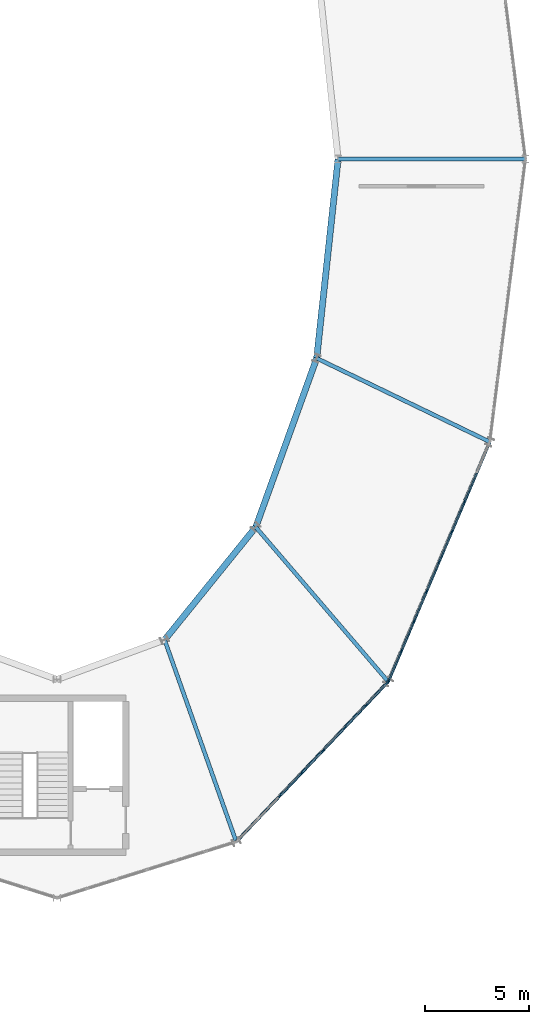
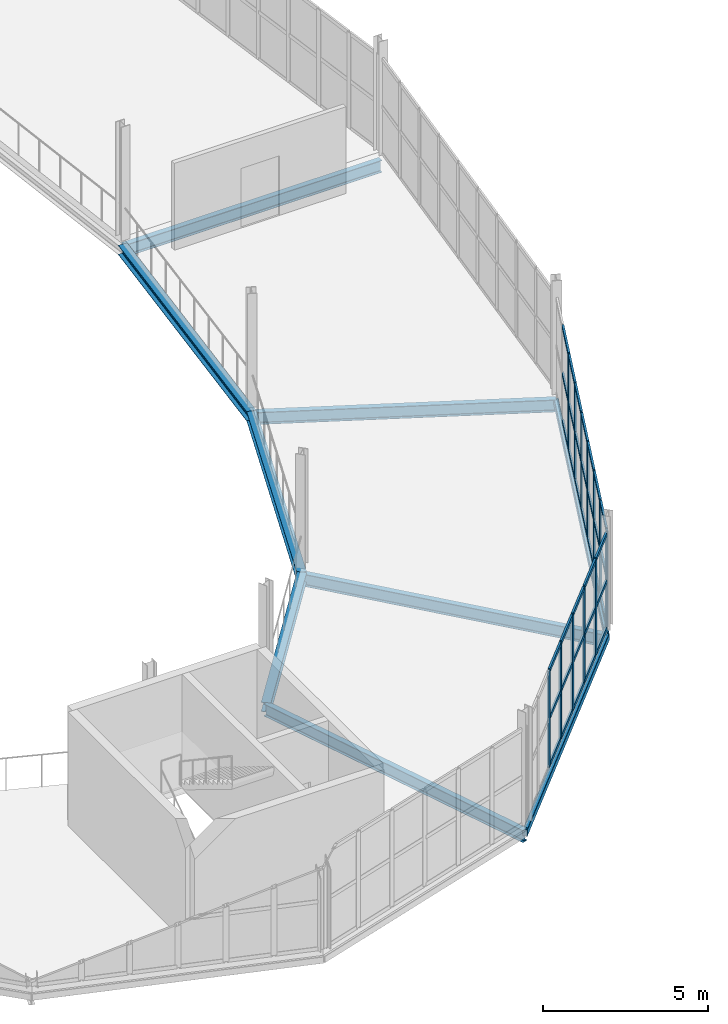
# One storey, part 90 of 161: 49 members, 9 beams, 2 elements without a shape of their own.
"""IFC4 building model written with IfcOpenShell, lengths in metres."""

from ifc_helpers import new_model, si_unit, direction, frame, origin, origin_2d, place, context, subcontext, project, spatial, rectangle, hollow_rectangle, i_section, extrude, material, material_profile, profile_set, type_object, element, aggregate, save


model = new_model("IFC4")

# Units and contexts
model_context = context("Model", 3, precision=1e-05, world=origin(), true_north=direction((0.0, 1.0)))
body_context = subcontext(model_context, "Body", "Model", "MODEL_VIEW")
ifc_project = project(units=[si_unit("LENGTHUNIT", "METRE"), si_unit("AREAUNIT", "SQUARE_METRE"), si_unit("VOLUMEUNIT", "CUBIC_METRE"), si_unit("PLANEANGLEUNIT", "RADIAN"), si_unit("MASSUNIT", "GRAM", prefix="KILO")], contexts=[model_context])

# Site, building, storey
site_placement = place(None, origin())
site = spatial("IfcSite", under=ifc_project, at=site_placement, CompositionType="ELEMENT")
building_placement = place(site_placement, origin())
building = spatial("IfcBuilding", under=site, at=building_placement, Name="Kildeholm Park Wholesale Market", CompositionType="ELEMENT")
storey_placement = place(building_placement, frame((0.0, 0.0, 5.39990234375)))
storey = spatial("IfcBuildingStorey", under=building, at=storey_placement, Name="L01", CompositionType="ELEMENT", Elevation=5.39990234375)

# Beams
ifc_material_1 = material(Name="Steel S355", Category="steel")
ifc_material_profile_1 = material_profile(ifc_material_1, i_section(OverallWidth=0.18994140625, OverallDepth=0.449951171875, WebThickness=0.009521484375, FlangeThickness=0.0146484375, FilletRadius=0.02099609375, at=origin_2d()), Name="IPE 450")
ifc_profile_set_1 = profile_set([ifc_material_profile_1], Name="Steel S355")
beam_type_1 = type_object("IfcBeamType", Name="Beam B-P02 IPE 450", PredefinedType="BEAM", material=ifc_profile_set_1)
beam_1_placement = place(storey_placement, frame((201.5, 94.5, -0.48486328125), z_axis=(1.0, 0.0, 0.0), x_axis=(0.0, 1.0, 0.0)))
element("IfcBeam", 1, at=beam_1_placement, inside=storey, type_object=beam_type_1, Name="Beam BM-V2-L01-R-00 BM-0363", PredefinedType="BEAM", context=body_context, shape_type="SweptSolid", body=[
    extrude(i_section(OverallWidth=0.18994140625, OverallDepth=0.449951171875, WebThickness=0.009521484375, FlangeThickness=0.0146484375, FilletRadius=0.02099609375, at=origin_2d()), origin(), (0.0, 0.0, 1.0), 9.0),
])
beam_2_placement = place(storey_placement, frame((193.166015625, 71.403076171875, -0.48486328125), z_axis=(0.334560005007, -0.942374449489, 0.0), x_axis=(0.942374449489, 0.334560005007, 0.0)))
element("IfcBeam", 2, at=beam_2_placement, inside=storey, type_object=beam_type_1, Name="Beam BM-V2-L01-R-13 BM-0450", PredefinedType="BEAM", context=body_context, shape_type="SweptSolid", body=[
    extrude(i_section(OverallWidth=0.18994140625, OverallDepth=0.449951171875, WebThickness=0.009521484375, FlangeThickness=0.0146484375, FilletRadius=0.02099609375, at=origin_2d()), origin(), (0.0, 0.0, 1.0), 10.29443359375),
])
beam_3_placement = place(storey_placement, frame((197.5458984375, 76.822021484375, -0.48486328125), z_axis=(0.650822214859, -0.75923016579, 0.0), x_axis=(0.75923016579, 0.650822214859, 0.0)))
element("IfcBeam", 3, at=beam_3_placement, inside=storey, type_object=beam_type_1, Name="Beam BM-V2-L01-R-14 BM-0457", PredefinedType="BEAM", context=body_context, shape_type="SweptSolid", body=[
    extrude(i_section(OverallWidth=0.18994140625, OverallDepth=0.449951171875, WebThickness=0.009521484375, FlangeThickness=0.0146484375, FilletRadius=0.02099609375, at=origin_2d()), origin(), (0.0, 0.0, 1.0), 9.7783203125),
])
beam_4_placement = place(storey_placement, frame((200.471923828125, 84.93310546875, -0.48486328125), z_axis=(0.900388826514, -0.435086153639, 0.0), x_axis=(0.435086153639, 0.900388826514, 0.0)))
element("IfcBeam", 4, at=beam_4_placement, inside=storey, type_object=beam_type_1, Name="Beam BM-V2-L01-R-15 BM-0464", PredefinedType="BEAM", context=body_context, shape_type="SweptSolid", body=[
    extrude(i_section(OverallWidth=0.18994140625, OverallDepth=0.449951171875, WebThickness=0.009521484375, FlangeThickness=0.0146484375, FilletRadius=0.02099609375, at=origin_2d()), origin(), (0.0, 0.0, 1.0), 9.235107421875),
])
ifc_material_profile_2 = material_profile(ifc_material_1, i_section(OverallWidth=0.300048828125, OverallDepth=0.35009765625, WebThickness=0.010009765625, FlangeThickness=0.017578125, FilletRadius=0.027099609375, at=origin_2d()), Name="HEA 360")
ifc_profile_set_2 = profile_set([ifc_material_profile_2], Name="Steel S355")
beam_type_2 = type_object("IfcBeamType", Name="Beam B-R01 HEA 360", PredefinedType="BEAM", material=ifc_profile_set_2)
beam_5_placement = place(storey_placement, frame((193.166015625, 71.403076171875, -0.434814453125), z_axis=(0.628601322688, 0.777727701136, 0.0), x_axis=(-0.777727701136, 0.628601322688, 0.0)))
element("IfcBeam", 5, at=beam_5_placement, inside=storey, type_object=beam_type_2, Name="Beam BM-V2-L01-CI-13 BM-0452", PredefinedType="BEAM", context=body_context, shape_type="SweptSolid", body=[
    extrude(i_section(OverallWidth=0.300048828125, OverallDepth=0.35009765625, WebThickness=0.010009765625, FlangeThickness=0.017578125, FilletRadius=0.027099609375, at=origin_2d()), origin(), (0.0, 0.0, 1.0), 6.9677734375),
])
beam_6_placement = place(storey_placement, frame((197.5458984375, 76.822021484375, -0.434814453125), z_axis=(0.339339006409, 0.940664147679, 0.0), x_axis=(-0.940664147679, 0.339339006409, 0.0)))
element("IfcBeam", 6, at=beam_6_placement, inside=storey, type_object=beam_type_2, Name="Beam BM-V2-L01-CI-14 BM-0459", PredefinedType="BEAM", context=body_context, shape_type="SweptSolid", body=[
    extrude(i_section(OverallWidth=0.300048828125, OverallDepth=0.35009765625, WebThickness=0.010009765625, FlangeThickness=0.017578125, FilletRadius=0.027099609375, at=origin_2d()), origin(), (0.0, 0.0, 1.0), 8.622802734375),
])
beam_7_placement = place(storey_placement, frame((200.471923828125, 84.93310546875, -0.434814453125), z_axis=(0.106846684142, 0.99427550814, 0.0), x_axis=(-0.99427550814, 0.106846684142, 0.0)))
element("IfcBeam", 7, at=beam_7_placement, inside=storey, type_object=beam_type_2, Name="Beam BM-V2-L01-CI-15 BM-0466", PredefinedType="BEAM", context=body_context, shape_type="SweptSolid", body=[
    extrude(i_section(OverallWidth=0.300048828125, OverallDepth=0.35009765625, WebThickness=0.010009765625, FlangeThickness=0.017578125, FilletRadius=0.027099609375, at=origin_2d()), origin(), (0.0, 0.0, 1.0), 9.6220703125),
])
ifc_material_profile_3 = material_profile(ifc_material_1, hollow_rectangle(XDim=0.14990234375, YDim=0.25, WallThickness=0.010009765625, InnerFilletRadius=0.010009765625, OuterFilletRadius=0.02001953125, at=origin_2d()), Name="RHS 250x150x10")
ifc_profile_set_3 = profile_set([ifc_material_profile_3], Name="Steel S355")
beam_type_3 = type_object("IfcBeamType", Name="Beam SP-02 RHS 250x150x10", PredefinedType="SPANDREL", material=ifc_profile_set_3)
beam_8_placement = place(storey_placement, frame((196.610107421875, 61.701904296875, -0.385009765625), z_axis=(0.688182467753, 0.725537656554, 0.0), x_axis=(-0.725537656554, 0.688182467753, 0.0)))
element("IfcBeam", 8, at=beam_8_placement, inside=storey, type_object=beam_type_3, Name="Beam BM-V2-L01-CO-13 BM-0453", PredefinedType="SPANDREL", context=body_context, shape_type="SweptSolid", body=[
    extrude(hollow_rectangle(XDim=0.14990234375, YDim=0.25, WallThickness=0.010009765625, InnerFilletRadius=0.010009765625, OuterFilletRadius=0.02001953125, at=origin_2d()), origin(), (0.0, 0.0, 1.0), 10.607421875),
])
beam_9_placement = place(storey_placement, frame((203.909912109375, 69.39794921875, -0.385009765625), z_axis=(0.389950720924, 0.920835726528, 0.0), x_axis=(-0.920835726528, 0.389950720924, 0.0)))
element("IfcBeam", 9, at=beam_9_placement, inside=storey, type_object=beam_type_3, Name="Beam BM-V2-L01-CO-14 BM-0460", PredefinedType="SPANDREL", context=body_context, shape_type="SweptSolid", body=[
    extrude(hollow_rectangle(XDim=0.14990234375, YDim=0.25, WallThickness=0.010009765625, InnerFilletRadius=0.010009765625, OuterFilletRadius=0.02001953125, at=origin_2d()), origin(), (0.0, 0.0, 1.0), 12.50732421875),
])

# Curtain wall, members
ifc_material_2 = material(Name="Anodised aluminium and low-E double-glazed glass", Category="aluminium")
curtain_wall_type = type_object("IfcCurtainWallType", Name="Market hall glazed arcade stick curtain wall CW-01", PredefinedType="NOTDEFINED", material=ifc_material_2)
curtain_wall_1_placement = place(storey_placement, origin())
curtain_wall_1 = element("IfcCurtainWall", 10, at=curtain_wall_1_placement, inside=storey, type_object=curtain_wall_type, Name="Curtain wall CW-V2-L01-13 CW-0132", PredefinedType="NOTDEFINED")
ifc_material_3 = material(Name="Anodised aluminium", Category="aluminium")
ifc_material_profile_4 = material_profile(ifc_material_3, rectangle(XDim=0.06494140625, YDim=0.179931640625, at=origin_2d()), Name="CWM 65x180")
ifc_profile_set_4 = profile_set([ifc_material_profile_4], Name="Anodised aluminium")
member_type_1 = type_object("IfcMemberType", Name="Curtain-wall mullion CWM-1 CWM 65x180", PredefinedType="MULLION", material=ifc_profile_set_4)
member_1_placement = place(storey_placement, frame((198.7109375, 63.904541015625, 0.0), z_axis=(0.0, 0.0, 1.0), x_axis=(-0.725570701078, 0.688147627866, 0.0)))
member_1 = element("IfcMember", 11, at=member_1_placement, type_object=member_type_1, Name="CW-01 mullion 3 MEM-4047", PredefinedType="MULLION", context=body_context, shape_type="SweptSolid", body=[
    extrude(rectangle(XDim=0.06494140625, YDim=0.179931640625, at=origin_2d()), origin(), (0.0, 0.0, 1.0), 3.550048828125),
])
member_2_placement = place(storey_placement, frame((199.74609375, 64.995849609375, 0.0), z_axis=(0.0, 0.0, 1.0), x_axis=(-0.725570701078, 0.688147627866, 0.0)))
member_2 = element("IfcMember", 12, at=member_2_placement, type_object=member_type_1, Name="CW-01 mullion 4 MEM-4048", PredefinedType="MULLION", context=body_context, shape_type="SweptSolid", body=[
    extrude(rectangle(XDim=0.06494140625, YDim=0.179931640625, at=origin_2d()), origin(), (0.0, 0.0, 1.0), 3.550048828125),
])
member_3_placement = place(storey_placement, frame((200.781005859375, 66.087158203125, 0.0), z_axis=(0.0, 0.0, 1.0), x_axis=(-0.725570701078, 0.688147627866, 0.0)))
member_3 = element("IfcMember", 13, at=member_3_placement, type_object=member_type_1, Name="CW-01 mullion 5 MEM-4049", PredefinedType="MULLION", context=body_context, shape_type="SweptSolid", body=[
    extrude(rectangle(XDim=0.06494140625, YDim=0.179931640625, at=origin_2d()), origin(), (0.0, 0.0, 1.0), 3.550048828125),
])
member_4_placement = place(storey_placement, frame((201.81591796875, 67.178466796875, 0.0), z_axis=(0.0, 0.0, 1.0), x_axis=(-0.725570701078, 0.688147627866, 0.0)))
member_4 = element("IfcMember", 14, at=member_4_placement, type_object=member_type_1, Name="CW-01 mullion 6 MEM-4050", PredefinedType="MULLION", context=body_context, shape_type="SweptSolid", body=[
    extrude(rectangle(XDim=0.06494140625, YDim=0.179931640625, at=origin_2d()), origin(), (0.0, 0.0, 1.0), 3.550048828125),
])
member_5_placement = place(storey_placement, frame((202.85107421875, 68.269775390625, 0.0), z_axis=(0.0, 0.0, 1.0), x_axis=(-0.725570701078, 0.688147627866, 0.0)))
member_5 = element("IfcMember", 15, at=member_5_placement, type_object=member_type_1, Name="CW-01 mullion 7 MEM-4051", PredefinedType="MULLION", context=body_context, shape_type="SweptSolid", body=[
    extrude(rectangle(XDim=0.06494140625, YDim=0.179931640625, at=origin_2d()), origin(), (0.0, 0.0, 1.0), 3.550048828125),
])
member_6_placement = place(storey_placement, frame((203.863525390625, 69.33740234375, 0.0), z_axis=(0.0, 0.0, 1.0), x_axis=(-0.725570701078, 0.688147627866, 0.0)))
member_6 = element("IfcMember", 16, at=member_6_placement, type_object=member_type_1, Name="CW-01 mullion 8 MEM-4052", PredefinedType="MULLION", context=body_context, shape_type="SweptSolid", body=[
    extrude(rectangle(XDim=0.06494140625, YDim=0.179931640625, at=origin_2d()), origin(), (0.0, 0.0, 1.0), 3.550048828125),
])

curtain_wall_2_placement = place(storey_placement, origin())
curtain_wall_2 = element("IfcCurtainWall", 17, at=curtain_wall_2_placement, inside=storey, type_object=curtain_wall_type, Name="Curtain wall CW-V2-L01-14 CW-0133", PredefinedType="NOTDEFINED")
member_7_placement = place(storey_placement, frame((203.942626953125, 69.458984375, 0.0), z_axis=(0.0, 0.0, 1.0), x_axis=(-0.920855054668, 0.389905076002, 0.0)))
member_7 = element("IfcMember", 18, at=member_7_placement, type_object=member_type_1, Name="CW-01 mullion 1 MEM-4074", PredefinedType="MULLION", context=body_context, shape_type="SweptSolid", body=[
    extrude(rectangle(XDim=0.06494140625, YDim=0.179931640625, at=origin_2d()), origin(), (0.0, 0.0, 1.0), 3.550048828125),
])
member_8_placement = place(storey_placement, frame((204.53564453125, 70.859619140625, 0.0), z_axis=(0.0, 0.0, 1.0), x_axis=(-0.920855054668, 0.389905076002, 0.0)))
member_8 = element("IfcMember", 19, at=member_8_placement, type_object=member_type_1, Name="CW-01 mullion 2 MEM-4075", PredefinedType="MULLION", context=body_context, shape_type="SweptSolid", body=[
    extrude(rectangle(XDim=0.06494140625, YDim=0.179931640625, at=origin_2d()), origin(), (0.0, 0.0, 1.0), 3.550048828125),
])
member_9_placement = place(storey_placement, frame((205.1416015625, 72.290283203125, 0.0), z_axis=(0.0, 0.0, 1.0), x_axis=(-0.920855054668, 0.389905076002, 0.0)))
member_9 = element("IfcMember", 20, at=member_9_placement, type_object=member_type_1, Name="CW-01 mullion 3 MEM-4076", PredefinedType="MULLION", context=body_context, shape_type="SweptSolid", body=[
    extrude(rectangle(XDim=0.06494140625, YDim=0.179931640625, at=origin_2d()), origin(), (0.0, 0.0, 1.0), 3.550048828125),
])
member_10_placement = place(storey_placement, frame((205.747314453125, 73.720947265625, 0.0), z_axis=(0.0, 0.0, 1.0), x_axis=(-0.920855054668, 0.389905076002, 0.0)))
member_10 = element("IfcMember", 21, at=member_10_placement, type_object=member_type_1, Name="CW-01 mullion 4 MEM-4077", PredefinedType="MULLION", context=body_context, shape_type="SweptSolid", body=[
    extrude(rectangle(XDim=0.06494140625, YDim=0.179931640625, at=origin_2d()), origin(), (0.0, 0.0, 1.0), 3.550048828125),
])
member_11_placement = place(storey_placement, frame((206.35302734375, 75.151611328125, 0.0), z_axis=(0.0, 0.0, 1.0), x_axis=(-0.920855054668, 0.389905076002, 0.0)))
member_11 = element("IfcMember", 22, at=member_11_placement, type_object=member_type_1, Name="CW-01 mullion 5 MEM-4078", PredefinedType="MULLION", context=body_context, shape_type="SweptSolid", body=[
    extrude(rectangle(XDim=0.06494140625, YDim=0.179931640625, at=origin_2d()), origin(), (0.0, 0.0, 1.0), 3.550048828125),
])
member_12_placement = place(storey_placement, frame((206.958740234375, 76.58203125, 0.0), z_axis=(0.0, 0.0, 1.0), x_axis=(-0.920855054668, 0.389905076002, 0.0)))
member_12 = element("IfcMember", 23, at=member_12_placement, type_object=member_type_1, Name="CW-01 mullion 6 MEM-4079", PredefinedType="MULLION", context=body_context, shape_type="SweptSolid", body=[
    extrude(rectangle(XDim=0.06494140625, YDim=0.179931640625, at=origin_2d()), origin(), (0.0, 0.0, 1.0), 3.550048828125),
])
member_13_placement = place(storey_placement, frame((207.564453125, 78.0126953125, 0.0), z_axis=(0.0, 0.0, 1.0), x_axis=(-0.920855054668, 0.389905076002, 0.0)))
member_13 = element("IfcMember", 24, at=member_13_placement, type_object=member_type_1, Name="CW-01 mullion 7 MEM-4080", PredefinedType="MULLION", context=body_context, shape_type="SweptSolid", body=[
    extrude(rectangle(XDim=0.06494140625, YDim=0.179931640625, at=origin_2d()), origin(), (0.0, 0.0, 1.0), 3.550048828125),
])

# Member
ifc_material_profile_5 = material_profile(ifc_material_3, rectangle(XDim=0.06494140625, YDim=0.139892578125, at=origin_2d()), Name="CWT 65x140")
ifc_profile_set_5 = profile_set([ifc_material_profile_5], Name="Anodised aluminium")
member_type_2 = type_object("IfcMemberType", Name="Curtain-wall transom CWT-1 CWT 65x140", PredefinedType="USERDEFINED", material=ifc_profile_set_5)
member_14_placement = place(storey_placement, frame((198.7333984375, 63.92822265625, 0.03271484375), z_axis=(0.688196317251, 0.725524519863, 0.0), x_axis=(-0.725524519863, 0.688196317251, 0.0)))
member_14 = element("IfcMember", 25, at=member_14_placement, type_object=member_type_2, Name="CW-01 transom 3.1 MEM-4059", ObjectType="TRANSOM", PredefinedType="USERDEFINED", context=body_context, shape_type="SweptSolid", body=[
    extrude(rectangle(XDim=0.06494140625, YDim=0.139892578125, at=origin_2d()), origin(), (0.0, 0.0, 1.0), 1.43896484375),
])

member_15_placement = place(storey_placement, frame((198.7333984375, 63.92822265625, 1.775146484375), z_axis=(0.688196317251, 0.725524519863, 0.0), x_axis=(-0.725524519863, 0.688196317251, 0.0)))
member_15 = element("IfcMember", 26, at=member_15_placement, type_object=member_type_2, Name="CW-01 transom 3.2 MEM-4060", ObjectType="TRANSOM", PredefinedType="USERDEFINED", context=body_context, shape_type="SweptSolid", body=[
    extrude(rectangle(XDim=0.06494140625, YDim=0.139892578125, at=origin_2d()), origin(), (0.0, 0.0, 1.0), 1.43896484375),
])

member_16_placement = place(storey_placement, frame((198.7333984375, 63.92822265625, 3.517578125), z_axis=(0.688196317251, 0.725524519863, 0.0), x_axis=(-0.725524519863, 0.688196317251, 0.0)))
member_16 = element("IfcMember", 27, at=member_16_placement, type_object=member_type_2, Name="CW-01 transom 3.3 MEM-4061", ObjectType="TRANSOM", PredefinedType="USERDEFINED", context=body_context, shape_type="SweptSolid", body=[
    extrude(rectangle(XDim=0.06494140625, YDim=0.139892578125, at=origin_2d()), origin(), (0.0, 0.0, 1.0), 1.43896484375),
])

member_17_placement = place(storey_placement, frame((199.768310546875, 65.01953125, 0.03271484375), z_axis=(0.688196317251, 0.725524519863, 0.0), x_axis=(-0.725524519863, 0.688196317251, 0.0)))
member_17 = element("IfcMember", 28, at=member_17_placement, type_object=member_type_2, Name="CW-01 transom 4.1 MEM-4062", ObjectType="TRANSOM", PredefinedType="USERDEFINED", context=body_context, shape_type="SweptSolid", body=[
    extrude(rectangle(XDim=0.06494140625, YDim=0.139892578125, at=origin_2d()), origin(), (0.0, 0.0, 1.0), 1.43896484375),
])

member_18_placement = place(storey_placement, frame((199.768310546875, 65.01953125, 1.775146484375), z_axis=(0.688196317251, 0.725524519863, 0.0), x_axis=(-0.725524519863, 0.688196317251, 0.0)))
member_18 = element("IfcMember", 29, at=member_18_placement, type_object=member_type_2, Name="CW-01 transom 4.2 MEM-4063", ObjectType="TRANSOM", PredefinedType="USERDEFINED", context=body_context, shape_type="SweptSolid", body=[
    extrude(rectangle(XDim=0.06494140625, YDim=0.139892578125, at=origin_2d()), origin(), (0.0, 0.0, 1.0), 1.43896484375),
])

member_19_placement = place(storey_placement, frame((199.768310546875, 65.01953125, 3.517578125), z_axis=(0.688196317251, 0.725524519863, 0.0), x_axis=(-0.725524519863, 0.688196317251, 0.0)))
member_19 = element("IfcMember", 30, at=member_19_placement, type_object=member_type_2, Name="CW-01 transom 4.3 MEM-4064", ObjectType="TRANSOM", PredefinedType="USERDEFINED", context=body_context, shape_type="SweptSolid", body=[
    extrude(rectangle(XDim=0.06494140625, YDim=0.139892578125, at=origin_2d()), origin(), (0.0, 0.0, 1.0), 1.43896484375),
])

member_20_placement = place(storey_placement, frame((200.803466796875, 66.11083984375, 0.03271484375), z_axis=(0.688196317251, 0.725524519863, 0.0), x_axis=(-0.725524519863, 0.688196317251, 0.0)))
member_20 = element("IfcMember", 31, at=member_20_placement, type_object=member_type_2, Name="CW-01 transom 5.1 MEM-4065", ObjectType="TRANSOM", PredefinedType="USERDEFINED", context=body_context, shape_type="SweptSolid", body=[
    extrude(rectangle(XDim=0.06494140625, YDim=0.139892578125, at=origin_2d()), origin(), (0.0, 0.0, 1.0), 1.43896484375),
])

member_21_placement = place(storey_placement, frame((200.803466796875, 66.11083984375, 1.775146484375), z_axis=(0.688196317251, 0.725524519863, 0.0), x_axis=(-0.725524519863, 0.688196317251, 0.0)))
member_21 = element("IfcMember", 32, at=member_21_placement, type_object=member_type_2, Name="CW-01 transom 5.2 MEM-4066", ObjectType="TRANSOM", PredefinedType="USERDEFINED", context=body_context, shape_type="SweptSolid", body=[
    extrude(rectangle(XDim=0.06494140625, YDim=0.139892578125, at=origin_2d()), origin(), (0.0, 0.0, 1.0), 1.43896484375),
])

member_22_placement = place(storey_placement, frame((200.803466796875, 66.11083984375, 3.517578125), z_axis=(0.688196317251, 0.725524519863, 0.0), x_axis=(-0.725524519863, 0.688196317251, 0.0)))
member_22 = element("IfcMember", 33, at=member_22_placement, type_object=member_type_2, Name="CW-01 transom 5.3 MEM-4067", ObjectType="TRANSOM", PredefinedType="USERDEFINED", context=body_context, shape_type="SweptSolid", body=[
    extrude(rectangle(XDim=0.06494140625, YDim=0.139892578125, at=origin_2d()), origin(), (0.0, 0.0, 1.0), 1.43896484375),
])

member_23_placement = place(storey_placement, frame((201.83837890625, 67.201904296875, 0.03271484375), z_axis=(0.688111604376, 0.72560486487, 0.0), x_axis=(-0.72560486487, 0.688111604376, 0.0)))
member_23 = element("IfcMember", 34, at=member_23_placement, type_object=member_type_2, Name="CW-01 transom 6.1 MEM-4068", ObjectType="TRANSOM", PredefinedType="USERDEFINED", context=body_context, shape_type="SweptSolid", body=[
    extrude(rectangle(XDim=0.06494140625, YDim=0.139892578125, at=origin_2d()), origin(), (0.0, 0.0, 1.0), 1.43896484375),
])

member_24_placement = place(storey_placement, frame((201.83837890625, 67.201904296875, 1.775146484375), z_axis=(0.688111604376, 0.72560486487, 0.0), x_axis=(-0.72560486487, 0.688111604376, 0.0)))
member_24 = element("IfcMember", 35, at=member_24_placement, type_object=member_type_2, Name="CW-01 transom 6.2 MEM-4069", ObjectType="TRANSOM", PredefinedType="USERDEFINED", context=body_context, shape_type="SweptSolid", body=[
    extrude(rectangle(XDim=0.06494140625, YDim=0.139892578125, at=origin_2d()), origin(), (0.0, 0.0, 1.0), 1.43896484375),
])

member_25_placement = place(storey_placement, frame((201.83837890625, 67.201904296875, 3.517578125), z_axis=(0.688111604376, 0.72560486487, 0.0), x_axis=(-0.72560486487, 0.688111604376, 0.0)))
member_25 = element("IfcMember", 36, at=member_25_placement, type_object=member_type_2, Name="CW-01 transom 6.3 MEM-4070", ObjectType="TRANSOM", PredefinedType="USERDEFINED", context=body_context, shape_type="SweptSolid", body=[
    extrude(rectangle(XDim=0.06494140625, YDim=0.139892578125, at=origin_2d()), origin(), (0.0, 0.0, 1.0), 1.43896484375),
])

member_26_placement = place(storey_placement, frame((202.873291015625, 68.293212890625, 0.03271484375), z_axis=(0.688201872594, 0.725519250301, 0.0), x_axis=(-0.725519250301, 0.688201872594, 0.0)))
member_26 = element("IfcMember", 37, at=member_26_placement, type_object=member_type_2, Name="CW-01 transom 7.1 MEM-4071", ObjectType="TRANSOM", PredefinedType="USERDEFINED", context=body_context, shape_type="SweptSolid", body=[
    extrude(rectangle(XDim=0.06494140625, YDim=0.139892578125, at=origin_2d()), origin(), (0.0, 0.0, 1.0), 1.406494140625),
])

member_27_placement = place(storey_placement, frame((202.873291015625, 68.293212890625, 1.775146484375), z_axis=(0.688201872594, 0.725519250301, 0.0), x_axis=(-0.725519250301, 0.688201872594, 0.0)))
member_27 = element("IfcMember", 38, at=member_27_placement, type_object=member_type_2, Name="CW-01 transom 7.2 MEM-4072", ObjectType="TRANSOM", PredefinedType="USERDEFINED", context=body_context, shape_type="SweptSolid", body=[
    extrude(rectangle(XDim=0.06494140625, YDim=0.139892578125, at=origin_2d()), origin(), (0.0, 0.0, 1.0), 1.406494140625),
])

member_28_placement = place(storey_placement, frame((202.873291015625, 68.293212890625, 3.517578125), z_axis=(0.688201872594, 0.725519250301, 0.0), x_axis=(-0.725519250301, 0.688201872594, 0.0)))
member_28 = element("IfcMember", 39, at=member_28_placement, type_object=member_type_2, Name="CW-01 transom 7.3 MEM-4073", ObjectType="TRANSOM", PredefinedType="USERDEFINED", context=body_context, shape_type="SweptSolid", body=[
    extrude(rectangle(XDim=0.06494140625, YDim=0.139892578125, at=origin_2d()), origin(), (0.0, 0.0, 1.0), 1.406494140625),
])

aggregate(curtain_wall_1, [member_1, member_2, member_3, member_4, member_5, member_6, member_14, member_15, member_16, member_17, member_18, member_19, member_20, member_21, member_22, member_23, member_24, member_25, member_26, member_27, member_28])

member_29_placement = place(storey_placement, frame((203.955322265625, 69.48876953125, 0.03271484375), z_axis=(0.389990019704, 0.920819083497, 0.0), x_axis=(-0.920819083497, 0.389990019704, 0.0)))
member_29 = element("IfcMember", 40, at=member_29_placement, type_object=member_type_2, Name="CW-01 transom 1.1 MEM-4083", ObjectType="TRANSOM", PredefinedType="USERDEFINED", context=body_context, shape_type="SweptSolid", body=[
    extrude(rectangle(XDim=0.06494140625, YDim=0.139892578125, at=origin_2d()), origin(), (0.0, 0.0, 1.0), 1.4560546875),
])

member_30_placement = place(storey_placement, frame((203.955322265625, 69.48876953125, 1.775146484375), z_axis=(0.389990019704, 0.920819083497, 0.0), x_axis=(-0.920819083497, 0.389990019704, 0.0)))
member_30 = element("IfcMember", 41, at=member_30_placement, type_object=member_type_2, Name="CW-01 transom 1.2 MEM-4084", ObjectType="TRANSOM", PredefinedType="USERDEFINED", context=body_context, shape_type="SweptSolid", body=[
    extrude(rectangle(XDim=0.06494140625, YDim=0.139892578125, at=origin_2d()), origin(), (0.0, 0.0, 1.0), 1.4560546875),
])

member_31_placement = place(storey_placement, frame((203.955322265625, 69.48876953125, 3.517578125), z_axis=(0.389990019704, 0.920819083497, 0.0), x_axis=(-0.920819083497, 0.389990019704, 0.0)))
member_31 = element("IfcMember", 42, at=member_31_placement, type_object=member_type_2, Name="CW-01 transom 1.3 MEM-4085", ObjectType="TRANSOM", PredefinedType="USERDEFINED", context=body_context, shape_type="SweptSolid", body=[
    extrude(rectangle(XDim=0.06494140625, YDim=0.139892578125, at=origin_2d()), origin(), (0.0, 0.0, 1.0), 1.4560546875),
])

member_32_placement = place(storey_placement, frame((204.54833984375, 70.8896484375, 0.03271484375), z_axis=(0.390035904039, 0.920799648979, 0.0), x_axis=(-0.920799648979, 0.390035904039, 0.0)))
member_32 = element("IfcMember", 43, at=member_32_placement, type_object=member_type_2, Name="CW-01 transom 2.1 MEM-4086", ObjectType="TRANSOM", PredefinedType="USERDEFINED", context=body_context, shape_type="SweptSolid", body=[
    extrude(rectangle(XDim=0.06494140625, YDim=0.139892578125, at=origin_2d()), origin(), (0.0, 0.0, 1.0), 1.488525390625),
])

member_33_placement = place(storey_placement, frame((204.54833984375, 70.8896484375, 1.775146484375), z_axis=(0.390035904039, 0.920799648979, 0.0), x_axis=(-0.920799648979, 0.390035904039, 0.0)))
member_33 = element("IfcMember", 44, at=member_33_placement, type_object=member_type_2, Name="CW-01 transom 2.2 MEM-4087", ObjectType="TRANSOM", PredefinedType="USERDEFINED", context=body_context, shape_type="SweptSolid", body=[
    extrude(rectangle(XDim=0.06494140625, YDim=0.139892578125, at=origin_2d()), origin(), (0.0, 0.0, 1.0), 1.488525390625),
])

member_34_placement = place(storey_placement, frame((204.54833984375, 70.8896484375, 3.517578125), z_axis=(0.390035904039, 0.920799648979, 0.0), x_axis=(-0.920799648979, 0.390035904039, 0.0)))
member_34 = element("IfcMember", 45, at=member_34_placement, type_object=member_type_2, Name="CW-01 transom 2.3 MEM-4088", ObjectType="TRANSOM", PredefinedType="USERDEFINED", context=body_context, shape_type="SweptSolid", body=[
    extrude(rectangle(XDim=0.06494140625, YDim=0.139892578125, at=origin_2d()), origin(), (0.0, 0.0, 1.0), 1.488525390625),
])

member_35_placement = place(storey_placement, frame((205.154052734375, 72.320068359375, 0.03271484375), z_axis=(0.389977005738, 0.92082459513, 0.0), x_axis=(-0.92082459513, 0.389977005738, 0.0)))
member_35 = element("IfcMember", 46, at=member_35_placement, type_object=member_type_2, Name="CW-01 transom 3.1 MEM-4089", ObjectType="TRANSOM", PredefinedType="USERDEFINED", context=body_context, shape_type="SweptSolid", body=[
    extrude(rectangle(XDim=0.06494140625, YDim=0.139892578125, at=origin_2d()), origin(), (0.0, 0.0, 1.0), 1.48876953125),
])

member_36_placement = place(storey_placement, frame((205.154052734375, 72.320068359375, 1.775146484375), z_axis=(0.389977005738, 0.92082459513, 0.0), x_axis=(-0.92082459513, 0.389977005738, 0.0)))
member_36 = element("IfcMember", 47, at=member_36_placement, type_object=member_type_2, Name="CW-01 transom 3.2 MEM-4090", ObjectType="TRANSOM", PredefinedType="USERDEFINED", context=body_context, shape_type="SweptSolid", body=[
    extrude(rectangle(XDim=0.06494140625, YDim=0.139892578125, at=origin_2d()), origin(), (0.0, 0.0, 1.0), 1.48876953125),
])

member_37_placement = place(storey_placement, frame((205.154052734375, 72.320068359375, 3.517578125), z_axis=(0.389977005738, 0.92082459513, 0.0), x_axis=(-0.92082459513, 0.389977005738, 0.0)))
member_37 = element("IfcMember", 48, at=member_37_placement, type_object=member_type_2, Name="CW-01 transom 3.3 MEM-4091", ObjectType="TRANSOM", PredefinedType="USERDEFINED", context=body_context, shape_type="SweptSolid", body=[
    extrude(rectangle(XDim=0.06494140625, YDim=0.139892578125, at=origin_2d()), origin(), (0.0, 0.0, 1.0), 1.48876953125),
])

member_38_placement = place(storey_placement, frame((205.760009765625, 73.750732421875, 0.03271484375), z_axis=(0.389837939204, 0.920883478599, 0.0), x_axis=(-0.920883478599, 0.389837939204, 0.0)))
member_38 = element("IfcMember", 49, at=member_38_placement, type_object=member_type_2, Name="CW-01 transom 4.1 MEM-4092", ObjectType="TRANSOM", PredefinedType="USERDEFINED", context=body_context, shape_type="SweptSolid", body=[
    extrude(rectangle(XDim=0.06494140625, YDim=0.139892578125, at=origin_2d()), origin(), (0.0, 0.0, 1.0), 1.488525390625),
])

member_39_placement = place(storey_placement, frame((205.760009765625, 73.750732421875, 1.775146484375), z_axis=(0.389837939204, 0.920883478599, 0.0), x_axis=(-0.920883478599, 0.389837939204, 0.0)))
member_39 = element("IfcMember", 50, at=member_39_placement, type_object=member_type_2, Name="CW-01 transom 4.2 MEM-4093", ObjectType="TRANSOM", PredefinedType="USERDEFINED", context=body_context, shape_type="SweptSolid", body=[
    extrude(rectangle(XDim=0.06494140625, YDim=0.139892578125, at=origin_2d()), origin(), (0.0, 0.0, 1.0), 1.488525390625),
])

member_40_placement = place(storey_placement, frame((205.760009765625, 73.750732421875, 3.517578125), z_axis=(0.389837939204, 0.920883478599, 0.0), x_axis=(-0.920883478599, 0.389837939204, 0.0)))
member_40 = element("IfcMember", 51, at=member_40_placement, type_object=member_type_2, Name="CW-01 transom 4.3 MEM-4094", ObjectType="TRANSOM", PredefinedType="USERDEFINED", context=body_context, shape_type="SweptSolid", body=[
    extrude(rectangle(XDim=0.06494140625, YDim=0.139892578125, at=origin_2d()), origin(), (0.0, 0.0, 1.0), 1.488525390625),
])

member_41_placement = place(storey_placement, frame((206.36572265625, 75.181396484375, 0.03271484375), z_axis=(0.389837939204, 0.920883478599, 0.0), x_axis=(-0.920883478599, 0.389837939204, 0.0)))
member_41 = element("IfcMember", 52, at=member_41_placement, type_object=member_type_2, Name="CW-01 transom 5.1 MEM-4095", ObjectType="TRANSOM", PredefinedType="USERDEFINED", context=body_context, shape_type="SweptSolid", body=[
    extrude(rectangle(XDim=0.06494140625, YDim=0.139892578125, at=origin_2d()), origin(), (0.0, 0.0, 1.0), 1.488525390625),
])

member_42_placement = place(storey_placement, frame((206.36572265625, 75.181396484375, 1.775146484375), z_axis=(0.389837939204, 0.920883478599, 0.0), x_axis=(-0.920883478599, 0.389837939204, 0.0)))
member_42 = element("IfcMember", 53, at=member_42_placement, type_object=member_type_2, Name="CW-01 transom 5.2 MEM-4096", ObjectType="TRANSOM", PredefinedType="USERDEFINED", context=body_context, shape_type="SweptSolid", body=[
    extrude(rectangle(XDim=0.06494140625, YDim=0.139892578125, at=origin_2d()), origin(), (0.0, 0.0, 1.0), 1.488525390625),
])

member_43_placement = place(storey_placement, frame((206.36572265625, 75.181396484375, 3.517578125), z_axis=(0.389837939204, 0.920883478599, 0.0), x_axis=(-0.920883478599, 0.389837939204, 0.0)))
member_43 = element("IfcMember", 54, at=member_43_placement, type_object=member_type_2, Name="CW-01 transom 5.3 MEM-4097", ObjectType="TRANSOM", PredefinedType="USERDEFINED", context=body_context, shape_type="SweptSolid", body=[
    extrude(rectangle(XDim=0.06494140625, YDim=0.139892578125, at=origin_2d()), origin(), (0.0, 0.0, 1.0), 1.488525390625),
])

member_44_placement = place(storey_placement, frame((206.971435546875, 76.612060546875, 0.03271484375), z_axis=(0.389837939204, 0.920883478599, 0.0), x_axis=(-0.920883478599, 0.389837939204, 0.0)))
member_44 = element("IfcMember", 55, at=member_44_placement, type_object=member_type_2, Name="CW-01 transom 6.1 MEM-4098", ObjectType="TRANSOM", PredefinedType="USERDEFINED", context=body_context, shape_type="SweptSolid", body=[
    extrude(rectangle(XDim=0.06494140625, YDim=0.139892578125, at=origin_2d()), origin(), (0.0, 0.0, 1.0), 1.488525390625),
])

member_45_placement = place(storey_placement, frame((206.971435546875, 76.612060546875, 1.775146484375), z_axis=(0.389837939204, 0.920883478599, 0.0), x_axis=(-0.920883478599, 0.389837939204, 0.0)))
member_45 = element("IfcMember", 56, at=member_45_placement, type_object=member_type_2, Name="CW-01 transom 6.2 MEM-4099", ObjectType="TRANSOM", PredefinedType="USERDEFINED", context=body_context, shape_type="SweptSolid", body=[
    extrude(rectangle(XDim=0.06494140625, YDim=0.139892578125, at=origin_2d()), origin(), (0.0, 0.0, 1.0), 1.488525390625),
])

member_46_placement = place(storey_placement, frame((206.971435546875, 76.612060546875, 3.517578125), z_axis=(0.389837939204, 0.920883478599, 0.0), x_axis=(-0.920883478599, 0.389837939204, 0.0)))
member_46 = element("IfcMember", 57, at=member_46_placement, type_object=member_type_2, Name="CW-01 transom 6.3 MEM-4100", ObjectType="TRANSOM", PredefinedType="USERDEFINED", context=body_context, shape_type="SweptSolid", body=[
    extrude(rectangle(XDim=0.06494140625, YDim=0.139892578125, at=origin_2d()), origin(), (0.0, 0.0, 1.0), 1.488525390625),
])

member_47_placement = place(storey_placement, frame((207.5771484375, 78.042724609375, 0.03271484375), z_axis=(0.389896824033, 0.920858548643, 0.0), x_axis=(-0.920858548643, 0.389896824033, 0.0)))
member_47 = element("IfcMember", 58, at=member_47_placement, type_object=member_type_2, Name="CW-01 transom 7.1 MEM-4101", ObjectType="TRANSOM", PredefinedType="USERDEFINED", context=body_context, shape_type="SweptSolid", body=[
    extrude(rectangle(XDim=0.06494140625, YDim=0.139892578125, at=origin_2d()), origin(), (0.0, 0.0, 1.0), 1.48828125),
])

member_48_placement = place(storey_placement, frame((207.5771484375, 78.042724609375, 1.775146484375), z_axis=(0.389896824033, 0.920858548643, 0.0), x_axis=(-0.920858548643, 0.389896824033, 0.0)))
member_48 = element("IfcMember", 59, at=member_48_placement, type_object=member_type_2, Name="CW-01 transom 7.2 MEM-4102", ObjectType="TRANSOM", PredefinedType="USERDEFINED", context=body_context, shape_type="SweptSolid", body=[
    extrude(rectangle(XDim=0.06494140625, YDim=0.139892578125, at=origin_2d()), origin(), (0.0, 0.0, 1.0), 1.48828125),
])

member_49_placement = place(storey_placement, frame((207.5771484375, 78.042724609375, 3.517578125), z_axis=(0.389896824033, 0.920858548643, 0.0), x_axis=(-0.920858548643, 0.389896824033, 0.0)))
member_49 = element("IfcMember", 60, at=member_49_placement, type_object=member_type_2, Name="CW-01 transom 7.3 MEM-4103", ObjectType="TRANSOM", PredefinedType="USERDEFINED", context=body_context, shape_type="SweptSolid", body=[
    extrude(rectangle(XDim=0.06494140625, YDim=0.139892578125, at=origin_2d()), origin(), (0.0, 0.0, 1.0), 1.48828125),
])

aggregate(curtain_wall_2, [member_7, member_8, member_9, member_10, member_11, member_12, member_13, member_29, member_30, member_31, member_32, member_33, member_34, member_35, member_36, member_37, member_38, member_39, member_40, member_41, member_42, member_43, member_44, member_45, member_46, member_47, member_48, member_49])

save(model, "model.ifc")
